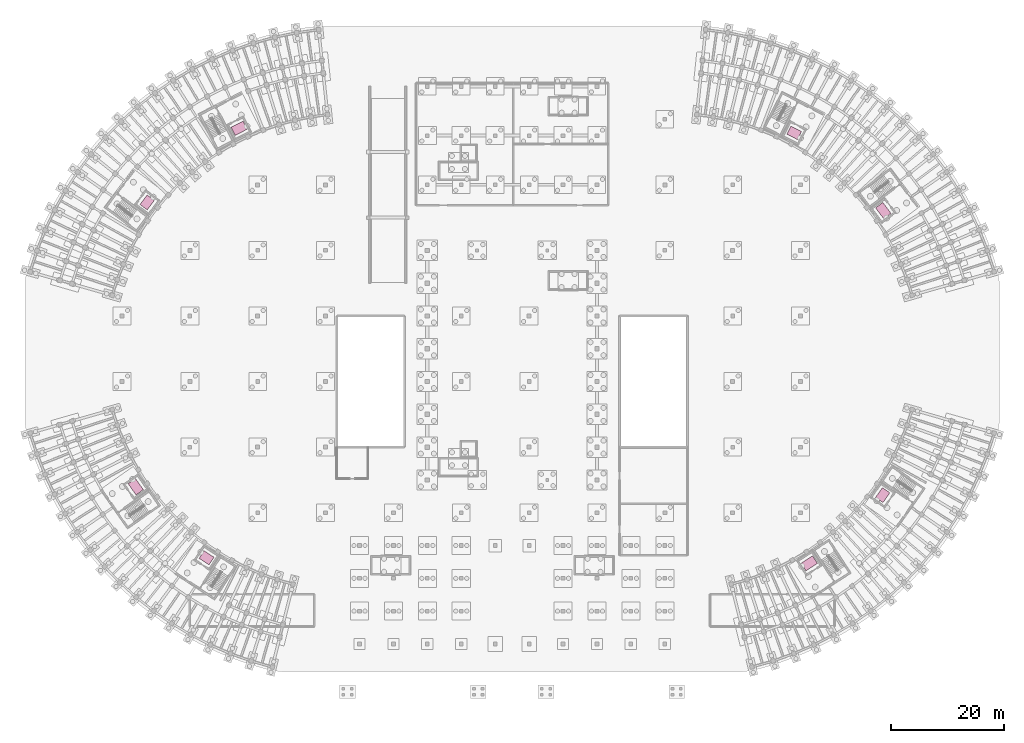
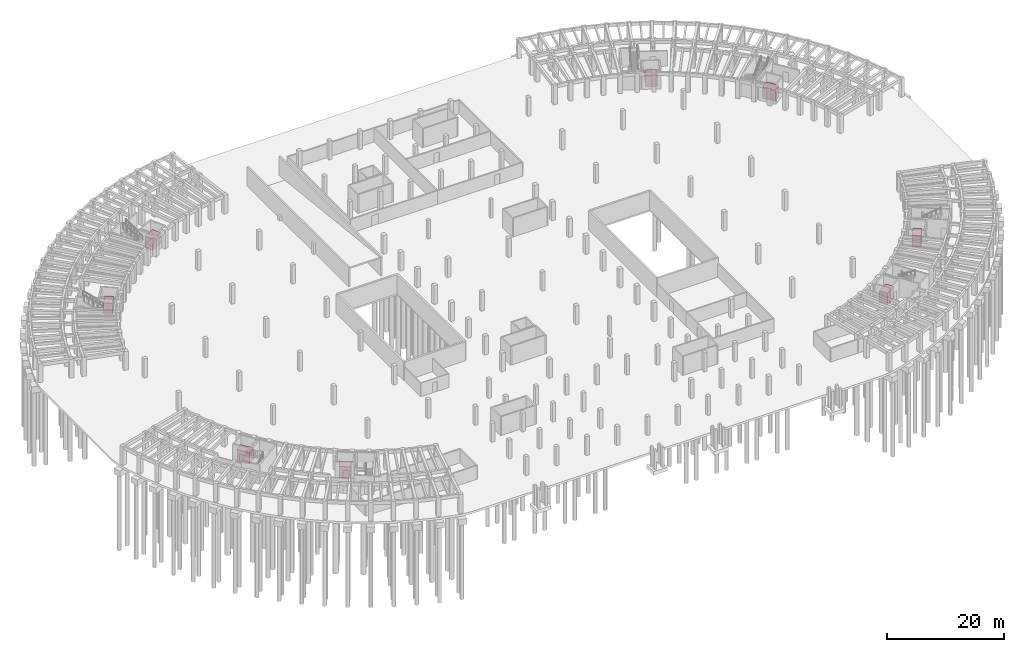
# One storey, part 29 of 29: 8 transport elements.
"""IFC4 building model written with IfcOpenShell, lengths in metres."""

from ifc_helpers import new_model, si_unit, direction, frame, origin, origin_2d, place, context, subcontext, project, spatial, rectangle, extrude, material, type_object, element, save


model = new_model("IFC4")

# Units and contexts
model_context = context("Model", 3, precision=1e-05, world=origin(), true_north=direction((0.0, 1.0)))
body_context = subcontext(model_context, "Body", "Model", "MODEL_VIEW")
ifc_project = project(units=[si_unit("LENGTHUNIT", "METRE"), si_unit("AREAUNIT", "SQUARE_METRE"), si_unit("VOLUMEUNIT", "CUBIC_METRE"), si_unit("PLANEANGLEUNIT", "RADIAN"), si_unit("MASSUNIT", "GRAM", prefix="KILO")], contexts=[model_context])

# Site, building, storey
site_placement = place(None, origin())
site = spatial("IfcSite", under=ifc_project, at=site_placement, CompositionType="ELEMENT")
building_placement = place(site_placement, origin())
building = spatial("IfcBuilding", under=site, at=building_placement, Name="Tanwirah Colonnade Gardens", CompositionType="ELEMENT")
storey_placement = place(building_placement, frame((0.0, 0.0, -4.199951171875)))
storey = spatial("IfcBuildingStorey", under=building, at=storey_placement, Name="B1", CompositionType="ELEMENT", Elevation=-4.199951171875)

# Transport elements
ifc_material_1 = material(Name="Brushed stainless steel elevator cab", Category="steel")
transport_element_type_1 = type_object("IfcTransportElementType", Name="LIFT-FF1600", PredefinedType="ELEVATOR", material=ifc_material_1)
for number, where, z_axis, x_axis, name in (
    (1, (44.714111328125, 101.995849609375, 0.0), (0.0, 0.0, 1.0), (0.45399049974, -0.891006524188, 0.0), "Firefighting Lift FL-A1"),
    (2, (158.63818359375, 87.435546875, 0.0), (0.0, 0.0, 1.0), (-0.798635510047, -0.601815023152, 0.0), "Firefighting Lift FL-B1"),
    (3, (26.43408203125, 38.5947265625, 0.0), (0.0, 0.0, 1.0), (0.819152044289, 0.573576436351, 0.0), "Firefighting Lift FL-C1"),
    (4, (145.543701171875, 25.053466796875, 0.0), (0.0, 0.0, 1.0), (-0.544639035015, 0.838670567945, 0.0), "Firefighting Lift FL-D1"),
):
    element("IfcTransportElement", number, at=place(storey_placement, frame(where, z_axis=z_axis, x_axis=x_axis)), inside=storey, type_object=transport_element_type_1, Name=name, PredefinedType="ELEVATOR", context=body_context, shape_type="SweptSolid", body=[
        extrude(rectangle(XDim=1.60009765625, YDim=2.39990234375, at=origin_2d()), origin(), (0.0, 0.0, 1.0), 2.39990234375),
    ])
ifc_material_2 = material(Name="Bronze-trimmed stainless steel passenger cab", Category="steel")
transport_element_type_2 = type_object("IfcTransportElementType", Name="LIFT-PS1350", PredefinedType="ELEVATOR", material=ifc_material_2)
for number, where, z_axis, x_axis, name in (
    (5, (28.445068359375, 88.873046875, 0.0), (0.0, 0.0, 1.0), (0.798635510047, -0.601815023152, 0.0), "Passenger Lift PL-A2"),
    (6, (142.8896484375, 101.1787109375, 0.0), (0.0, 0.0, 1.0), (-0.45399049974, -0.891006524188, 0.0), "Passenger Lift PL-B2"),
    (7, (38.94677734375, 26.033935546875, 0.0), (0.0, 0.0, 1.0), (0.544639035015, 0.838670567945, 0.0), "Passenger Lift PL-C2"),
    (8, (158.533447265625, 37.1201171875, 0.0), (0.0, 0.0, 1.0), (-0.819152044289, 0.573576436351, 0.0), "Passenger Lift PL-D2"),
):
    element("IfcTransportElement", number, at=place(storey_placement, frame(where, z_axis=z_axis, x_axis=x_axis)), inside=storey, type_object=transport_element_type_2, Name=name, PredefinedType="ELEVATOR", context=body_context, shape_type="SweptSolid", body=[
        extrude(rectangle(XDim=1.60009765625, YDim=2.10009765625, at=origin_2d()), origin(), (0.0, 0.0, 1.0), 2.39990234375),
    ])

save(model, "model.ifc")
